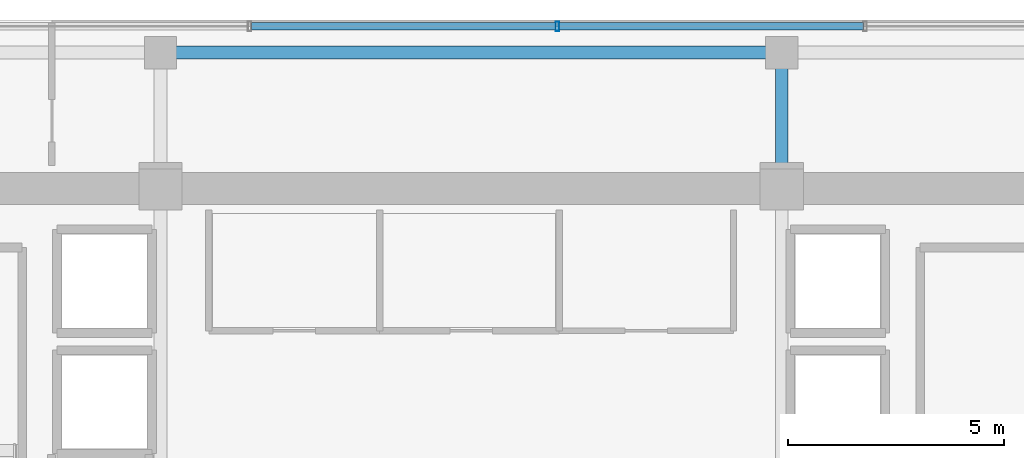
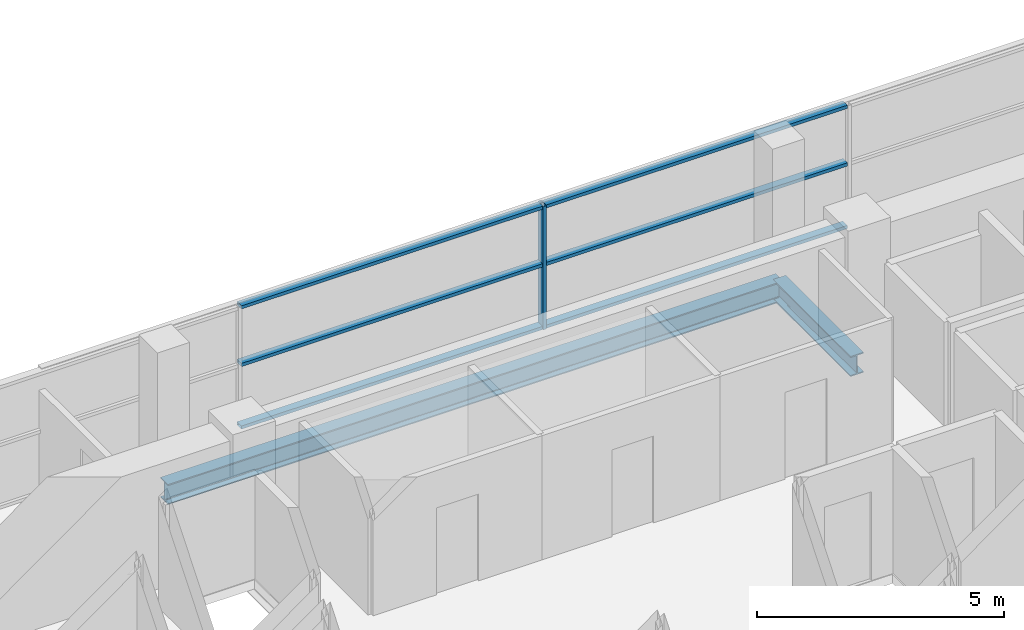
# One storey, part 11 of 22: 7 members, 2 beams, 1 element without a shape of its own.
"""IFC4 building model written with IfcOpenShell, lengths in metres."""

from ifc_helpers import new_model, si_unit, direction, frame, origin, origin_2d, place, context, subcontext, project, spatial, hollow_rectangle, i_section, extrude, source, transform, mapped, material, layer, layer_set, material_profile, profile_set, type_object, element, aggregate, save


model = new_model("IFC4")

# Units and contexts
model_context = context("Model", 3, precision=1e-05, world=origin(), true_north=direction((0.0, 1.0)))
body_context = subcontext(model_context, "Body", "Model", "MODEL_VIEW")
ifc_project = project(units=[si_unit("LENGTHUNIT", "METRE"), si_unit("AREAUNIT", "SQUARE_METRE"), si_unit("VOLUMEUNIT", "CUBIC_METRE"), si_unit("PLANEANGLEUNIT", "RADIAN"), si_unit("MASSUNIT", "GRAM", prefix="KILO")], contexts=[model_context])

# Site, building, storey
site_placement = place(None, origin())
site = spatial("IfcSite", under=ifc_project, at=site_placement, CompositionType="ELEMENT")
building_placement = place(site_placement, origin())
building = spatial("IfcBuilding", under=site, at=building_placement, Name="Zarnakvel Exchange Tower", CompositionType="ELEMENT")
storey_placement = place(building_placement, frame((0.0, 0.0, 179.199951171875)))
storey = spatial("IfcBuildingStorey", under=building, at=storey_placement, Name="L50", CompositionType="ELEMENT", Elevation=179.199951171875)

# Beams
ifc_material_1 = material(Name="Steel S355", Category="steel")
ifc_material_profile_1 = material_profile(ifc_material_1, i_section(OverallWidth=0.300048828125, OverallDepth=0.5, WebThickness=0.014404296875, FlangeThickness=0.028076171875, FilletRadius=0.027099609375, at=origin_2d()))
ifc_profile_set_1 = profile_set([ifc_material_profile_1], Name="Steel S355")
beam_type_1 = type_object("IfcBeamType", Name="G-06", PredefinedType="BEAM", material=ifc_profile_set_1)
beam_1_placement = place(storey_placement, frame((7.199951171875, 13.5, -0.474853515625), z_axis=(0.0, 1.0, 0.0), x_axis=(-1.0, 0.0, 0.0)))
element("IfcBeam", 1, at=beam_1_placement, inside=storey, type_object=beam_type_1, Name="L50 Tower N-S Frame Beam", PredefinedType="BEAM", context=body_context, shape_type="SweptSolid", body=[
    extrude(i_section(OverallWidth=0.300048828125, OverallDepth=0.5, WebThickness=0.014404296875, FlangeThickness=0.028076171875, FilletRadius=0.027099609375, at=origin_2d()), origin(), (0.0, 0.0, 1.0), 3.14990234375),
])
ifc_material_profile_2 = material_profile(ifc_material_1, i_section(OverallWidth=0.300048828125, OverallDepth=0.5, WebThickness=0.014404296875, FlangeThickness=0.028076171875, FilletRadius=0.027099609375, at=origin_2d()))
ifc_profile_set_2 = profile_set([ifc_material_profile_2], Name="Steel S355")
beam_type_2 = type_object("IfcBeamType", Name="SP-02", PredefinedType="SPANDREL", material=ifc_profile_set_2)
beam_2_placement = place(storey_placement, frame((-7.199951171875, 16.64990234375, -0.474853515625), z_axis=(1.0, 0.0, 0.0), x_axis=(0.0, 1.0, 0.0)))
element("IfcBeam", 2, at=beam_2_placement, inside=storey, type_object=beam_type_2, Name="L50 Tower E-W Frame Beam", PredefinedType="SPANDREL", context=body_context, shape_type="SweptSolid", body=[
    extrude(i_section(OverallWidth=0.300048828125, OverallDepth=0.5, WebThickness=0.014404296875, FlangeThickness=0.028076171875, FilletRadius=0.027099609375, at=origin_2d()), origin(), (0.0, 0.0, 1.0), 14.39990234375),
])

# Curtain wall, members
ifc_material_2 = material(Name="Architectural Bronze Anodised Aluminium", Category="aluminium")
ifc_layer = layer(ifc_material_2, 0.219970703125)
ifc_layer_set = layer_set([ifc_layer], Name="Architectural Bronze Anodised Aluminium")
curtain_wall_type = type_object("IfcCurtainWallType", Name="CW-03", PredefinedType="NOTDEFINED", material=ifc_layer_set)
curtain_wall_placement = place(storey_placement, origin())
curtain_wall = element("IfcCurtainWall", 3, at=curtain_wall_placement, inside=storey, type_object=curtain_wall_type, Name="L50 Curtain Wall CW-L50-N1 (CW-03)", PredefinedType="NOTDEFINED")
ifc_material_profile_3 = material_profile(ifc_material_2, hollow_rectangle(XDim=0.219970703125, YDim=0.080078125, WallThickness=0.0048828125, at=origin_2d()))
ifc_profile_set_3 = profile_set([ifc_material_profile_3], Name="Architectural Bronze Anodised Aluminium")
member_type_1 = type_object("IfcMemberType", Name="CWM-03", PredefinedType="MULLION", material=ifc_profile_set_3)
shared_shape_1 = source(origin(), body_context, "Body", "SweptSolid", [
    extrude(hollow_rectangle(XDim=0.219970703125, YDim=0.080078125, WallThickness=0.0048828125, at=origin_2d()), origin(), (0.0, 0.0, 1.0), 3.054931640625),
])
member_1_placement = place(storey_placement, frame((2.0, 17.260009765625, 0.0), z_axis=(0.0, 0.0, 1.0), x_axis=(0.0, 1.0, 0.0)))
member_1 = element("IfcMember", 4, at=member_1_placement, type_object=member_type_1, Name="CW-03 mullion 4", PredefinedType="MULLION", context=body_context, shape_type="MappedRepresentation", body=[
    mapped(shared_shape_1, transform((0.0, 0.0, 0.0), x_axis=(1.0, 0.0, 0.0), y_axis=(0.0, 1.0, 0.0), z_axis=(0.0, 0.0, 1.0), scale=1.0)),
])
ifc_material_profile_4 = material_profile(ifc_material_2, hollow_rectangle(XDim=0.179931640625, YDim=0.080078125, WallThickness=0.00390625, at=origin_2d()))
ifc_profile_set_4 = profile_set([ifc_material_profile_4], Name="Architectural Bronze Anodised Aluminium")
member_type_2 = type_object("IfcMemberType", Name="CWT-03", PredefinedType="USERDEFINED", material=ifc_profile_set_4)
shared_shape_2 = source(origin(), body_context, "Body", "SweptSolid", [
    extrude(hollow_rectangle(XDim=0.179931640625, YDim=0.080078125, WallThickness=0.00390625, at=origin_2d()), origin(), (0.0, 0.0, 1.0), 7.05322265625),
])
member_2_placement = place(storey_placement, frame((-5.09326171875, 17.260009765625, 0.0400390625), z_axis=(1.0, 0.0, 0.0), x_axis=(0.0, 1.0, 0.0)))
member_2 = element("IfcMember", 5, at=member_2_placement, type_object=member_type_2, Name="CW-03 transom 3.1", ObjectType="TRANSOM", PredefinedType="USERDEFINED", context=body_context, shape_type="MappedRepresentation", body=[
    mapped(shared_shape_2, transform((0.0, 0.0, 0.0), x_axis=(1.0, 0.0, 0.0), y_axis=(0.0, 1.0, 0.0), z_axis=(0.0, 0.0, 1.0), scale=1.0)),
])
member_3_placement = place(storey_placement, frame((-5.09326171875, 17.260009765625, 1.588623046875), z_axis=(1.0, 0.0, 0.0), x_axis=(0.0, 1.0, 0.0)))
member_3 = element("IfcMember", 6, at=member_3_placement, type_object=member_type_2, Name="CW-03 transom 3.2", ObjectType="TRANSOM", PredefinedType="USERDEFINED", context=body_context, shape_type="MappedRepresentation", body=[
    mapped(shared_shape_2, transform((0.0, 0.0, 0.0), x_axis=(1.0, 0.0, 0.0), y_axis=(0.0, 1.0, 0.0), z_axis=(0.0, 0.0, 1.0), scale=1.0)),
])
member_4_placement = place(storey_placement, frame((-5.09326171875, 17.260009765625, 3.01513671875), z_axis=(1.0, 0.0, 0.0), x_axis=(0.0, 1.0, 0.0)))
member_4 = element("IfcMember", 7, at=member_4_placement, type_object=member_type_2, Name="CW-03 transom 3.3", ObjectType="TRANSOM", PredefinedType="USERDEFINED", context=body_context, shape_type="MappedRepresentation", body=[
    mapped(shared_shape_2, transform((0.0, 0.0, 0.0), x_axis=(1.0, 0.0, 0.0), y_axis=(0.0, 1.0, 0.0), z_axis=(0.0, 0.0, 1.0), scale=1.0)),
])
member_5_placement = place(storey_placement, frame((2.0400390625, 17.260009765625, 0.0400390625), z_axis=(1.0, 0.0, 0.0), x_axis=(0.0, 1.0, 0.0)))
member_5 = element("IfcMember", 8, at=member_5_placement, type_object=member_type_2, Name="CW-03 transom 4.1", ObjectType="TRANSOM", PredefinedType="USERDEFINED", context=body_context, shape_type="MappedRepresentation", body=[
    mapped(shared_shape_2, transform((0.0, 0.0, 0.0), x_axis=(1.0, 0.0, 0.0), y_axis=(0.0, 1.0, 0.0), z_axis=(0.0, 0.0, 1.0), scale=1.0)),
])
member_6_placement = place(storey_placement, frame((2.0400390625, 17.260009765625, 1.588623046875), z_axis=(1.0, 0.0, 0.0), x_axis=(0.0, 1.0, 0.0)))
member_6 = element("IfcMember", 9, at=member_6_placement, type_object=member_type_2, Name="CW-03 transom 4.2", ObjectType="TRANSOM", PredefinedType="USERDEFINED", context=body_context, shape_type="MappedRepresentation", body=[
    mapped(shared_shape_2, transform((0.0, 0.0, 0.0), x_axis=(1.0, 0.0, 0.0), y_axis=(0.0, 1.0, 0.0), z_axis=(0.0, 0.0, 1.0), scale=1.0)),
])
member_7_placement = place(storey_placement, frame((2.0400390625, 17.260009765625, 3.01513671875), z_axis=(1.0, 0.0, 0.0), x_axis=(0.0, 1.0, 0.0)))
member_7 = element("IfcMember", 10, at=member_7_placement, type_object=member_type_2, Name="CW-03 transom 4.3", ObjectType="TRANSOM", PredefinedType="USERDEFINED", context=body_context, shape_type="MappedRepresentation", body=[
    mapped(shared_shape_2, transform((0.0, 0.0, 0.0), x_axis=(1.0, 0.0, 0.0), y_axis=(0.0, 1.0, 0.0), z_axis=(0.0, 0.0, 1.0), scale=1.0)),
])
aggregate(curtain_wall, [member_1, member_2, member_3, member_4, member_5, member_6, member_7])

save(model, "model.ifc")
